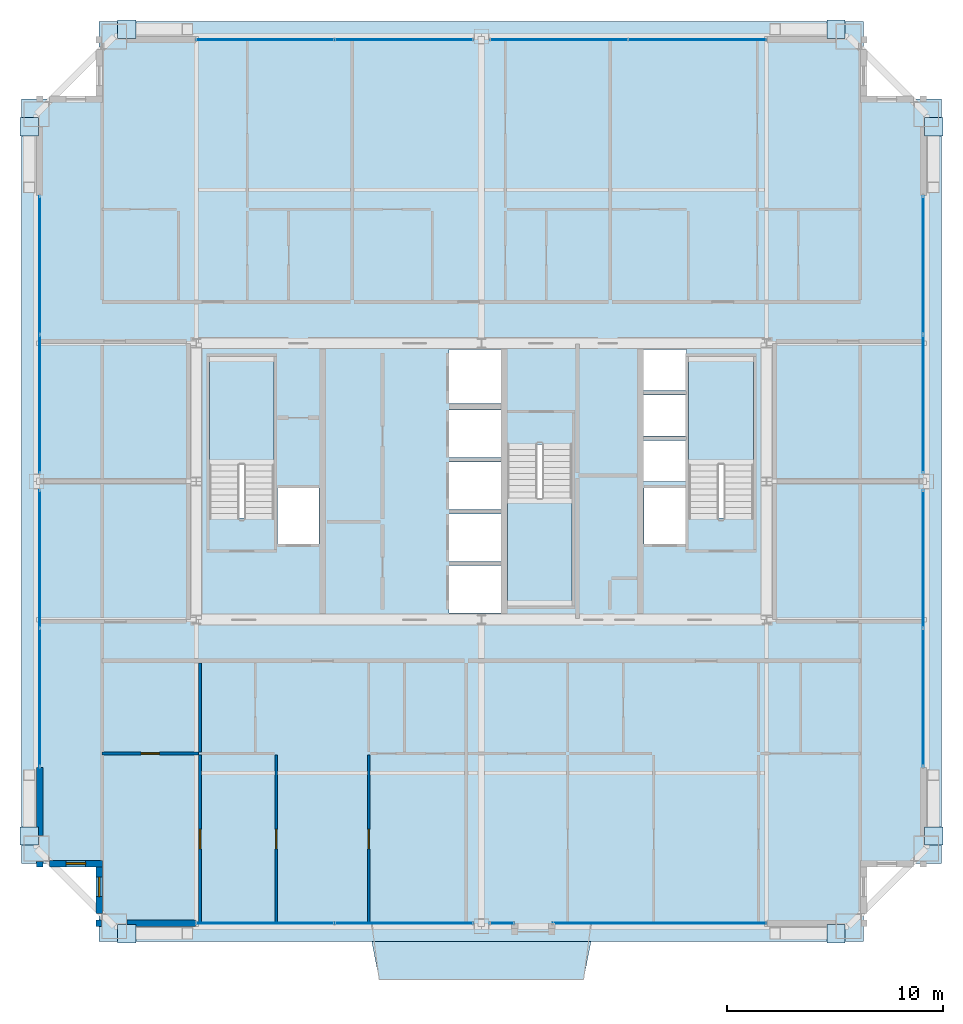
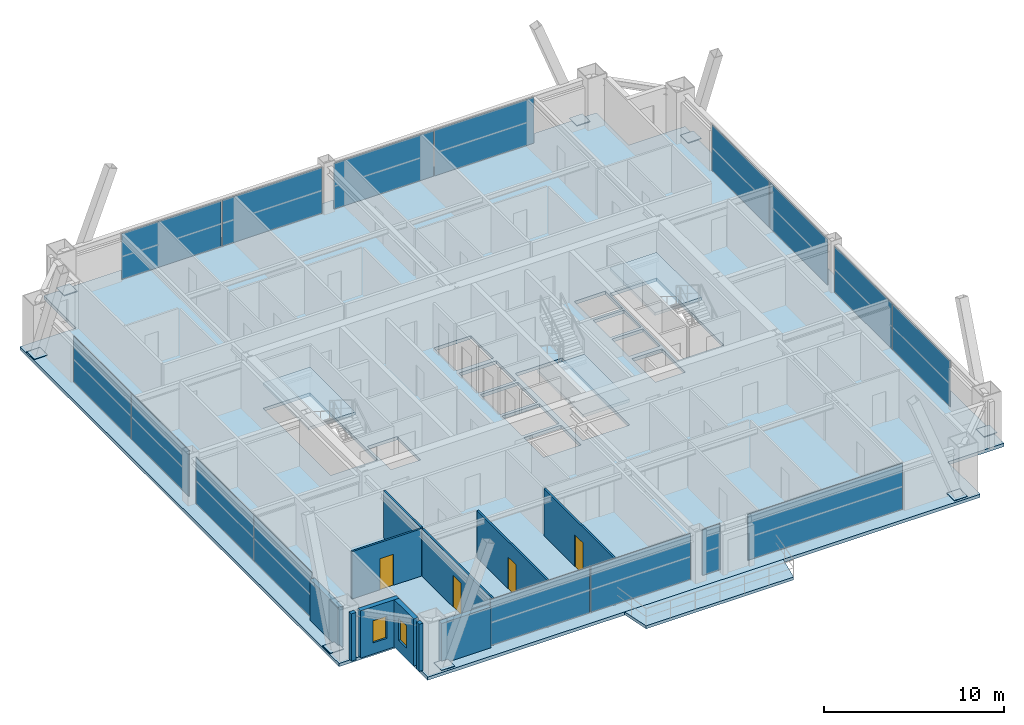
# One storey, part 30 of 36: 24 plates, 11 walls, 5 slabs, 4 doors, 2 windows, 6 openings, 12 elements without a shape of their own.
"""IFC4 building model written with IfcOpenShell, lengths in metres."""

import ifcopenshell
import ifcopenshell.guid

model = None  # the IFC model being written
_history = None  # IfcOwnerHistory: only IFC2X3 demands one
_inside = {}  # id of a spatial element -> (the spatial element, [elements in it])
_under = {}  # id of a project, library or spatial element -> (it, [spatial elements below it])
_declared = {}  # id of a project -> (the project, [libraries it declares])
_typed = {}  # id of a type object -> (the type object, [elements of that type])
_made_of = {}  # id of a material, layer set ... -> (it, [elements and type objects made of it])


def new_model(schema):
    """Start an empty IFC model of exactly this schema.

    Asked for "IFC4X3", IfcOpenShell would pick the latest addendum, in which some entities
    have other attributes; the version numbers below select the first issue.
    IFC2X3 requires an IfcOwnerHistory on every rooted entity: one is made here for all.
    """
    global model, _history
    if schema == "IFC4X3":
        model = ifcopenshell.file(schema_version=(4, 3, 0, 0))
    else:
        model = ifcopenshell.file(schema=schema)
    _inside.clear()
    _under.clear()
    _declared.clear()
    _typed.clear()
    _made_of.clear()
    _history = None
    if model.schema == "IFC2X3":
        org = make("IfcOrganization", Name="unknown")
        user = make(
            "IfcPersonAndOrganization",
            ThePerson=make("IfcPerson", FamilyName="unknown"),
            TheOrganization=org,
        )
        app = make(
            "IfcApplication",
            ApplicationDeveloper=org,
            Version="unknown",
            ApplicationFullName="unknown",
            ApplicationIdentifier="unknown",
        )
        _history = make(
            "IfcOwnerHistory",
            OwningUser=user,
            OwningApplication=app,
            ChangeAction="ADDED",
            CreationDate=0,
        )
    return model


def make(cls, **values):
    """One entity of the class cls with the attributes given. An attribute that is None is left unset."""
    return model.create_entity(
        cls, **{name: value for name, value in values.items() if value is not None}
    )


def rooted(cls, **values):
    """An entity with a GlobalId (a new one), such as an element, a storey or a relation."""
    return make(cls, GlobalId=ifcopenshell.guid.new(), OwnerHistory=_history, **values)


def si_unit(unit_type, name, prefix=None):
    """IfcSIUnit, for example si_unit("LENGTHUNIT", "METRE", prefix="MILLI")."""
    return make("IfcSIUnit", UnitType=unit_type, Prefix=prefix, Name=name)


def assignment(units):
    """IfcUnitAssignment: the units of a project."""
    return None if units is None else make("IfcUnitAssignment", Units=units)


def point(xyz):
    """IfcCartesianPoint."""
    return None if xyz is None else make("IfcCartesianPoint", Coordinates=xyz)


def direction(xyz):
    """IfcDirection."""
    return None if xyz is None else make("IfcDirection", DirectionRatios=xyz)


def frame(location, z_axis=None, x_axis=None):
    """IfcAxis2Placement3D, a coordinate frame: its origin and axes. An axis left out is left unset."""
    return make(
        "IfcAxis2Placement3D",
        Location=point(location),
        Axis=direction(z_axis),
        RefDirection=direction(x_axis),
    )


def frame_2d(location, x_axis=None):
    """IfcAxis2Placement2D, a coordinate frame in the plane: its origin and x axis."""
    return make(
        "IfcAxis2Placement2D", Location=point(location), RefDirection=direction(x_axis)
    )


def origin():
    """The frame at (0, 0, 0) with its axes left unset."""
    return frame((0.0, 0.0, 0.0))


def origin_2d():
    """The frame at (0, 0) in the plane with its x axis left unset."""
    return frame_2d((0.0, 0.0))


def place(relative_to, where):
    """IfcLocalPlacement: puts the frame where relative to a parent placement (None: the world)."""
    return make(
        "IfcLocalPlacement", PlacementRelTo=relative_to, RelativePlacement=where
    )


def context(
    kind, dimensions, precision=None, world=None, true_north=None, identifier=None
):
    """IfcGeometricRepresentationContext, for example the 3D "Model" context."""
    return make(
        "IfcGeometricRepresentationContext",
        ContextIdentifier=identifier,
        ContextType=kind,
        CoordinateSpaceDimension=dimensions,
        Precision=precision,
        WorldCoordinateSystem=world,
        TrueNorth=true_north,
    )


def subcontext(parent, identifier, kind, view, scale=None):
    """IfcGeometricRepresentationSubContext, for example "Body" below "Model"."""
    return make(
        "IfcGeometricRepresentationSubContext",
        ContextIdentifier=identifier,
        ContextType=kind,
        ParentContext=parent,
        TargetScale=scale,
        TargetView=view,
    )


def project(units=None, contexts=None):
    """IfcProject with its units and contexts."""
    return rooted(
        "IfcProject",
        Name="project",
        RepresentationContexts=contexts,
        UnitsInContext=assignment(units),
    )


def spatial(cls, under=None, at=None, **own):
    """A site, building, storey or space (cls), placed at a placement, below another one or the project."""
    s = rooted(cls, ObjectPlacement=at, **own)
    if under is not None:
        _under.setdefault(under.id(), (under, []))[1].append(s)
    return s


def polyline(points):
    """IfcPolyline through the points."""
    return make("IfcPolyline", Points=[point(p) for p in points])


def profile(cls, at=None, kind="AREA", **sizes):
    """A parametric profile (cls). Its sizes go by their IFC names, for example OverallWidth=200.0."""
    return make(cls, ProfileType=kind, Position=at, **sizes)


def rectangle(**sizes):
    """IfcRectangleProfileDef."""
    return profile("IfcRectangleProfileDef", **sizes)


def outline(outer, holes=None, kind="AREA"):
    """IfcArbitraryClosedProfileDef: a profile drawn as a closed curve; with holes, ...WithVoids."""
    if holes is None:
        return make("IfcArbitraryClosedProfileDef", ProfileType=kind, OuterCurve=outer)
    return make(
        "IfcArbitraryProfileDefWithVoids",
        ProfileType=kind,
        OuterCurve=outer,
        InnerCurves=holes,
    )


def extrude(swept, where, along, depth):
    """IfcExtrudedAreaSolid: the profile swept, set in the frame where, extruded along a direction by depth."""
    return make(
        "IfcExtrudedAreaSolid",
        SweptArea=swept,
        Position=where,
        ExtrudedDirection=direction(along),
        Depth=depth,
    )


def shape(context_of_items, identifier, shape_type, items):
    """IfcShapeRepresentation: the items that make up one representation, for example the "Body"."""
    return make(
        "IfcShapeRepresentation",
        ContextOfItems=context_of_items,
        RepresentationIdentifier=identifier,
        RepresentationType=shape_type,
        Items=items,
    )


def source(mapping_origin, context_of_items, identifier, shape_type, items):
    """IfcRepresentationMap: a shape defined once, which mapped items show again and again."""
    return make(
        "IfcRepresentationMap",
        MappingOrigin=mapping_origin,
        MappedRepresentation=shape(context_of_items, identifier, shape_type, items),
    )


def transform(
    local_origin,
    x_axis=None,
    y_axis=None,
    z_axis=None,
    scale=None,
    scale2=None,
    scale3=None,
    uniform=True,
):
    """IfcCartesianTransformationOperator3D, or its non-uniform kind. x_axis, y_axis, z_axis: its Axis1, 2, 3."""
    if uniform:
        return make(
            "IfcCartesianTransformationOperator3D",
            Axis1=direction(x_axis),
            Axis2=direction(y_axis),
            LocalOrigin=point(local_origin),
            Scale=scale,
            Axis3=direction(z_axis),
        )
    return make(
        "IfcCartesianTransformationOperator3DnonUniform",
        Axis1=direction(x_axis),
        Axis2=direction(y_axis),
        LocalOrigin=point(local_origin),
        Scale=scale,
        Axis3=direction(z_axis),
        Scale2=scale2,
        Scale3=scale3,
    )


def mapped(mapping_source, mapping_target):
    """IfcMappedItem: shows the shape of a source again, moved by a transform."""
    return make(
        "IfcMappedItem", MappingSource=mapping_source, MappingTarget=mapping_target
    )


def material(Name=None, Category=None):
    """IfcMaterial."""
    return make("IfcMaterial", Name=Name, Category=Category)


def layer(
    of_material, thickness, ventilated=None, Name=None, Category=None, Priority=None
):
    """IfcMaterialLayer: one layer of a wall or slab, of a material (None: an air gap)."""
    return make(
        "IfcMaterialLayer",
        Material=of_material,
        LayerThickness=thickness,
        IsVentilated=ventilated,
        Name=Name,
        Category=Category,
        Priority=Priority,
    )


def layer_set(layers, Name=None):
    """IfcMaterialLayerSet."""
    return make("IfcMaterialLayerSet", MaterialLayers=layers, LayerSetName=Name)


def made_of(thing, what):
    """Note that an element or type object is made of a material, layer set ...; save() writes the relation."""
    if what is not None:
        _made_of.setdefault(what.id(), (what, []))[1].append(thing)
    return thing


def type_object(cls, material=None, **own):
    """A type object (cls), such as IfcWallType, which elements share."""
    return made_of(rooted(cls, **own), material)


def element(
    cls,
    number,
    at=None,
    inside=None,
    cuts=None,
    type_object=None,
    material=None,
    context=None,
    identifier="Body",
    shape_type=None,
    held_by="IfcProductDefinitionShape",
    body=None,
    shapes=None,
    **own,
):
    """One element of the class cls, such as IfcWall. Its Tag is "e" and its number.

    at: its placement. inside: the storey or other place that contains it. cuts: it is an
    opening in that element (IfcRelVoidsElement). A single representation is given by context,
    identifier, shape_type and body (its items); several are given by shapes. held_by: the class
    of the entity that holds the representations. save() writes the other relations.
    """
    e = rooted(cls, Tag="e%d" % number, ObjectPlacement=at, **own)
    if body is not None:
        shapes = [shape(context, identifier, shape_type, body)]
    if shapes is not None:
        e.Representation = make(held_by, Representations=shapes)
    if inside is not None:
        _inside.setdefault(inside.id(), (inside, []))[1].append(e)
    if cuts is not None:
        rooted(
            "IfcRelVoidsElement", RelatingBuildingElement=cuts, RelatedOpeningElement=e
        )
    if type_object is not None:
        _typed.setdefault(type_object.id(), (type_object, []))[1].append(e)
    return made_of(e, material)


def fill(opening, filler):
    """IfcRelFillsElement: the door or window that sits in an opening."""
    return rooted(
        "IfcRelFillsElement",
        RelatingOpeningElement=opening,
        RelatedBuildingElement=filler,
    )


def aggregate(whole, parts):
    """IfcRelAggregates: a whole, such as a stair, and the parts it consists of."""
    return rooted("IfcRelAggregates", RelatingObject=whole, RelatedObjects=parts)


def save(model, path):
    """Write the relations noted so far, then the file.

    IfcRelAggregates (storeys below a building ...), IfcRelContainedInSpatialStructure (elements
    in a storey), IfcRelDefinesByType, IfcRelAssociatesMaterial and IfcRelDeclares: one each for
    every whole, place, type object, material and project.
    """
    for whole, parts in _under.values():
        aggregate(whole, parts)
    for where, things in _inside.values():
        rooted(
            "IfcRelContainedInSpatialStructure",
            RelatedElements=things,
            RelatingStructure=where,
        )
    for kind, things in _typed.values():
        rooted("IfcRelDefinesByType", RelatedObjects=things, RelatingType=kind)
    for what, things in _made_of.values():
        rooted("IfcRelAssociatesMaterial", RelatedObjects=things, RelatingMaterial=what)
    for by, libraries in _declared.values():
        rooted("IfcRelDeclares", RelatingContext=by, RelatedDefinitions=libraries)
    model.write(path)


model = new_model("IFC4")

# Units and contexts
model_context = context("Model", 3, precision=1e-05, world=origin(), true_north=direction((0.0, 1.0)))
body_context = subcontext(model_context, "Body", "Model", "MODEL_VIEW")
ifc_project = project(units=[si_unit("LENGTHUNIT", "METRE"), si_unit("AREAUNIT", "SQUARE_METRE"), si_unit("VOLUMEUNIT", "CUBIC_METRE"), si_unit("PLANEANGLEUNIT", "RADIAN"), si_unit("MASSUNIT", "GRAM", prefix="KILO"), si_unit("THERMODYNAMICTEMPERATUREUNIT", "KELVIN"), si_unit("POWERUNIT", "WATT")], contexts=[model_context])

# Site, building, storey
site_placement = place(None, origin())
site = spatial("IfcSite", under=ifc_project, at=site_placement, CompositionType="ELEMENT")
building_placement = place(site_placement, origin())
building = spatial("IfcBuilding", under=site, at=building_placement, Name="Yuzanri Waterfront Tower", CompositionType="ELEMENT")
storey_placement = place(building_placement, frame((0.0, 0.0, 255.60009765625)))
storey = spatial("IfcBuildingStorey", under=building, at=storey_placement, Name="L68", CompositionType="ELEMENT", Elevation=255.60009765625)

# Slab
ifc_material_1 = material(Name="Concrete C40", Category="concrete")
ifc_layer_1 = layer(ifc_material_1, 0.199951171875)
ifc_layer_set_1 = layer_set([ifc_layer_1], Name="Concrete C40")
slab_type_1 = type_object("IfcSlabType", Name="Concrete C40 Cantilevered Engawa Wave Terrace Slab 200", PredefinedType="FLOOR", material=ifc_layer_set_1)
slab_1_placement = place(storey_placement, frame((0.0, 0.0, -0.2001953125)))
element("IfcSlab", 1, at=slab_1_placement, inside=storey, type_object=slab_type_1, Name="L68 S Cantilevered Engawa Terrace Slab", PredefinedType="FLOOR", context=body_context, shape_type="SweptSolid", body=[
    extrude(outline(polyline([(31.92041015625, 4.5), (42.07958984375, 4.5), (41.7294921875, 2.737060546875), (32.2705078125, 2.737060546875), (31.92041015625, 4.5)])), origin(), (0.0, 0.0, 1.0), 0.2001953125),
])

# Stair, slab
ifc_material_2 = material(Name="Concrete C40", Category="concrete")
stair_type = type_object("IfcStairType", Name="Concrete C40 Core Dogleg Exit Stair", PredefinedType="HALF_TURN_STAIR", material=ifc_material_2)
stair_1_placement = place(storey_placement, origin())
stair_1 = element("IfcStair", 2, at=stair_1_placement, inside=storey, type_object=stair_type, Name="L68 Smoke-Proof Core Stair ST-01", PredefinedType="HALF_TURN_STAIR")
ifc_material_3 = material(Name="Concrete C40", Category="concrete")
ifc_layer_2 = layer(ifc_material_3, 0.179931640625)
ifc_layer_set_2 = layer_set([ifc_layer_2], Name="Concrete C40")
slab_type_2 = type_object("IfcSlabType", Name="Concrete C40 Stair Half-Landing Slab 180", PredefinedType="LANDING", material=ifc_layer_set_2)
slab_2_placement = place(storey_placement, frame((0.0, 0.0, 1.5498046875)))
slab_2 = element("IfcSlab", 3, at=slab_2_placement, type_object=slab_type_2, Name="ST-01 landing 1", PredefinedType="LANDING", context=body_context, shape_type="SweptSolid", body=[
    extrude(outline(polyline([(27.39990234375, 26.56005859375), (27.39990234375, 31.580078125), (24.39990234375, 31.580078125), (24.39990234375, 26.56005859375), (27.39990234375, 26.56005859375)])), origin(), (0.0, 0.0, 1.0), 0.2001953125),
])
aggregate(stair_1, [slab_2])

stair_2_placement = place(storey_placement, origin())
stair_2 = element("IfcStair", 4, at=stair_2_placement, inside=storey, type_object=stair_type, Name="L68 Smoke-Proof Core Stair ST-02", PredefinedType="HALF_TURN_STAIR")
slab_3_placement = place(storey_placement, frame((0.0, 0.0, 1.5498046875)))
slab_3 = element("IfcSlab", 5, at=slab_3_placement, type_object=slab_type_2, Name="ST-02 landing 1", PredefinedType="LANDING", context=body_context, shape_type="SweptSolid", body=[
    extrude(outline(polyline([(49.60009765625, 26.56005859375), (49.60009765625, 31.580078125), (46.60009765625, 31.580078125), (46.60009765625, 26.56005859375), (49.60009765625, 26.56005859375)])), origin(), (0.0, 0.0, 1.0), 0.2001953125),
])
aggregate(stair_2, [slab_3])

stair_3_placement = place(storey_placement, origin())
stair_3 = element("IfcStair", 6, at=stair_3_placement, inside=storey, type_object=stair_type, Name="L68 Smoke-Proof Core Stair ST-03", PredefinedType="HALF_TURN_STAIR")
slab_4_placement = place(storey_placement, frame((0.0, 0.0, 1.5498046875)))
slab_4 = element("IfcSlab", 7, at=slab_4_placement, type_object=slab_type_2, Name="ST-03 landing 1", PredefinedType="LANDING", context=body_context, shape_type="SweptSolid", body=[
    extrude(outline(polyline([(38.199951171875, 25.0400390625), (38.199951171875, 20.02001953125), (41.199951171875, 20.02001953125), (41.199951171875, 25.0400390625), (38.199951171875, 25.0400390625)])), origin(), (0.0, 0.0, 1.0), 0.2001953125),
])
aggregate(stair_3, [slab_4])

# Slab
ifc_material_4 = material(Name="Concrete C40", Category="concrete")
ifc_layer_3 = layer(ifc_material_4, 0.219970703125)
ifc_layer_set_3 = layer_set([ifc_layer_3], Name="Concrete C40")
slab_type_3 = type_object("IfcSlabType", Name="Concrete C40 Tower Typical Structural Floor Slab 220", PredefinedType="FLOOR", material=ifc_layer_set_3)
slab_5_placement = place(storey_placement, frame((0.0, 0.0, -0.22021484375)))
element("IfcSlab", 8, at=slab_5_placement, inside=storey, type_object=slab_type_3, Name="L68 Main Structural Floor Slab", PredefinedType="FLOOR", context=body_context, shape_type="SweptSolid", body=[
    extrude(outline(polyline([(19.300048828125, 4.5), (54.699951171875, 4.5), (54.699951171875, 8.10009765625), (58.300048828125, 8.10009765625), (58.300048828125, 43.5), (54.699951171875, 43.5), (54.699951171875, 47.10009765625), (19.300048828125, 47.10009765625), (19.300048828125, 43.5), (15.699951171875, 43.5), (15.699951171875, 8.10009765625), (19.300048828125, 8.10009765625), (19.300048828125, 4.5)]), holes=[polyline([(27.39990234375, 24.10009765625), (27.39990234375, 31.580078125), (24.39990234375, 31.580078125), (24.39990234375, 24.10009765625), (27.39990234375, 24.10009765625)]), polyline([(49.60009765625, 24.10009765625), (49.60009765625, 31.580078125), (46.60009765625, 31.580078125), (46.60009765625, 24.10009765625), (49.60009765625, 24.10009765625)]), polyline([(38.199951171875, 27.5), (38.199951171875, 20.02001953125), (41.199951171875, 20.02001953125), (41.199951171875, 27.5), (38.199951171875, 27.5)]), polyline([(27.56005859375, 22.89990234375), (29.47998046875, 22.89990234375), (29.47998046875, 25.5), (27.56005859375, 25.5), (27.56005859375, 22.89990234375)]), polyline([(44.52001953125, 22.89990234375), (46.43994140625, 22.89990234375), (46.43994140625, 25.5), (44.52001953125, 25.5), (44.52001953125, 22.89990234375)]), polyline([(35.5, 19.699951171875), (37.89990234375, 19.699951171875), (37.89990234375, 21.89990234375), (35.5, 21.89990234375), (35.5, 19.699951171875)]), polyline([(35.5, 22.10009765625), (37.89990234375, 22.10009765625), (37.89990234375, 24.300048828125), (35.5, 24.300048828125), (35.5, 22.10009765625)]), polyline([(35.5, 24.5), (37.89990234375, 24.5), (37.89990234375, 26.699951171875), (35.5, 26.699951171875), (35.5, 24.5)]), polyline([(35.5, 26.89990234375), (37.89990234375, 26.89990234375), (37.89990234375, 29.10009765625), (35.5, 29.10009765625), (35.5, 26.89990234375)]), polyline([(35.5, 29.39990234375), (37.89990234375, 29.39990234375), (37.89990234375, 31.89990234375), (35.5, 31.89990234375), (35.5, 29.39990234375)]), polyline([(44.5, 25.800048828125), (46.5, 25.800048828125), (46.5, 27.699951171875), (44.5, 27.699951171875), (44.5, 25.800048828125)]), polyline([(44.5, 27.89990234375), (46.5, 27.89990234375), (46.5, 29.800048828125), (44.5, 29.800048828125), (44.5, 27.89990234375)]), polyline([(44.5, 30.0), (46.5, 30.0), (46.5, 31.89990234375), (44.5, 31.89990234375), (44.5, 30.0)])]), origin(), (0.0, 0.0, 1.0), 0.22021484375),
])

# Plates
ifc_material_5 = material(Name="Steel Q420GJC", Category="steel")
ifc_layer_4 = layer(ifc_material_5, 0.0400390625)
ifc_layer_set_4 = layer_set([ifc_layer_4], Name="Steel Q420GJC")
plate_type_1 = type_object("IfcPlateType", Name="Steel Q420GJC Mega-Brace Gusset and End-Cap Plate 40", PredefinedType="SHEET", material=ifc_layer_set_4)
shared_shape_1 = source(origin(), body_context, "Body", "SweptSolid", [
    extrude(rectangle(XDim=0.85009765625, YDim=0.85009765625, at=origin_2d()), origin(), (0.0, 0.0, 1.0), 0.0400390625),
])
for number, where, z_axis, x_axis, name in (
    (9, (20.580078125, 4.860107421875, 0.159912109375), (0.0, 0.0, 1.0), (1.0, 0.0, 0.0), "L68 Mega-Brace Foot Cap Plate S-L"),
    (10, (53.419921875, 4.860107421875, 0.159912109375), (0.0, 0.0, 1.0), (1.0, 0.0, 0.0), "L68 Mega-Brace Foot Cap Plate S-R"),
    (11, (20.580078125, 46.739990234375, 0.159912109375), (0.0, 0.0, 1.0), (1.0, 0.0, 0.0), "L68 Mega-Brace Foot Cap Plate N-L"),
    (12, (53.419921875, 46.739990234375, 0.159912109375), (0.0, 0.0, 1.0), (1.0, 0.0, 0.0), "L68 Mega-Brace Foot Cap Plate N-R"),
    (13, (16.06005859375, 9.3798828125, 0.159912109375), (0.0, 0.0, 1.0), (1.0, 0.0, 0.0), "L68 Mega-Brace Foot Cap Plate W-L"),
    (14, (16.06005859375, 42.219970703125, 0.159912109375), (0.0, 0.0, 1.0), (1.0, 0.0, 0.0), "L68 Mega-Brace Foot Cap Plate W-R"),
    (15, (57.93994140625, 9.3798828125, 0.159912109375), (0.0, 0.0, 1.0), (1.0, 0.0, 0.0), "L68 Mega-Brace Foot Cap Plate E-L"),
    (16, (57.93994140625, 42.219970703125, 0.159912109375), (0.0, 0.0, 1.0), (1.0, 0.0, 0.0), "L68 Mega-Brace Foot Cap Plate E-R"),
):
    element("IfcPlate", number, at=place(storey_placement, frame(where, z_axis=z_axis, x_axis=x_axis)), inside=storey, type_object=plate_type_1, Name=name, PredefinedType="SHEET", context=body_context, shape_type="MappedRepresentation", body=[
        mapped(shared_shape_1, transform((0.0, 0.0, 0.0), scale=1.0)),
    ])

# Curtain wall, plates
ifc_material_6 = material(Name="Anodized Architectural Bronze", Category="metal")
ifc_layer_5 = layer(ifc_material_6, 0.159912109375)
ifc_layer_set_5 = layer_set([ifc_layer_5], Name="Anodized Architectural Bronze")
curtain_wall_type = type_object("IfcCurtainWallType", Name="Anodized Bronze Mid-Rise Residential Acoustic Unitized Curtain Wall 7200", PredefinedType="NOTDEFINED", material=ifc_layer_set_5)
curtain_wall_1_placement = place(storey_placement, origin())
curtain_wall_1 = element("IfcCurtainWall", 17, at=curtain_wall_1_placement, inside=storey, type_object=curtain_wall_type, Name="L68 Curtain Wall CW-L68-SL", PredefinedType="NOTDEFINED")
ifc_material_7 = material(Name="Triple Low-E Laminated Insulated Glass", Category="glass")
ifc_layer_6 = layer(ifc_material_7, 0.0439453125)
ifc_layer_set_6 = layer_set([ifc_layer_6], Name="Triple Low-E Laminated Insulated Glass")
plate_type_2 = type_object("IfcPlateType", Name="Triple Glazed Acoustic Vision Glass Panel 44", PredefinedType="CURTAIN_PANEL", material=ifc_layer_set_6)
shared_shape_2 = source(origin(), body_context, "Body", "SweptSolid", [
    extrude(rectangle(XDim=6.3701171875, YDim=0.0439453125, at=origin_2d()), origin(), (0.0, 0.0, 1.0), 3.10009765625),
])
plate_1_placement = place(storey_placement, frame((26.97509765625, 5.35009765625, 0.0498046875), z_axis=(0.0, 0.0, 1.0), x_axis=(1.0, 0.0, 0.0)))
plate_1 = element("IfcPlate", 18, at=plate_1_placement, type_object=plate_type_2, Name="CW-L68-SL Vision Glass Panel 01", PredefinedType="CURTAIN_PANEL", context=body_context, shape_type="MappedRepresentation", body=[
    mapped(shared_shape_2, transform((0.0, 0.0, 0.0), scale=1.0)),
])
plate_2_placement = place(storey_placement, frame((33.425048828125, 5.35009765625, 0.0498046875), z_axis=(0.0, 0.0, 1.0), x_axis=(1.0, 0.0, 0.0)))
plate_2 = element("IfcPlate", 19, at=plate_2_placement, type_object=plate_type_2, Name="CW-L68-SL Vision Glass Panel 02", PredefinedType="CURTAIN_PANEL", context=body_context, shape_type="MappedRepresentation", body=[
    mapped(shared_shape_2, transform((0.0, 0.0, 0.0), scale=1.0)),
])
aggregate(curtain_wall_1, [plate_1, plate_2])

curtain_wall_2_placement = place(storey_placement, origin())
curtain_wall_2 = element("IfcCurtainWall", 20, at=curtain_wall_2_placement, inside=storey, type_object=curtain_wall_type, Name="L68 Curtain Wall CW-L68-NL", PredefinedType="NOTDEFINED")
plate_3_placement = place(storey_placement, frame((26.97509765625, 46.25, 0.0498046875), z_axis=(0.0, 0.0, 1.0), x_axis=(1.0, 0.0, 0.0)))
plate_3 = element("IfcPlate", 21, at=plate_3_placement, type_object=plate_type_2, Name="CW-L68-NL Vision Glass Panel 01", PredefinedType="CURTAIN_PANEL", context=body_context, shape_type="MappedRepresentation", body=[
    mapped(shared_shape_2, transform((0.0, 0.0, 0.0), scale=1.0)),
])
plate_4_placement = place(storey_placement, frame((33.425048828125, 46.25, 0.0498046875), z_axis=(0.0, 0.0, 1.0), x_axis=(1.0, 0.0, 0.0)))
plate_4 = element("IfcPlate", 22, at=plate_4_placement, type_object=plate_type_2, Name="CW-L68-NL Vision Glass Panel 02", PredefinedType="CURTAIN_PANEL", context=body_context, shape_type="MappedRepresentation", body=[
    mapped(shared_shape_2, transform((0.0, 0.0, 0.0), scale=1.0)),
])
aggregate(curtain_wall_2, [plate_3, plate_4])

curtain_wall_3_placement = place(storey_placement, origin())
curtain_wall_3 = element("IfcCurtainWall", 23, at=curtain_wall_3_placement, inside=storey, type_object=curtain_wall_type, Name="L68 Curtain Wall CW-L68-NR", PredefinedType="NOTDEFINED")
plate_5_placement = place(storey_placement, frame((40.574951171875, 46.25, 0.0498046875), z_axis=(0.0, 0.0, 1.0), x_axis=(1.0, 0.0, 0.0)))
plate_5 = element("IfcPlate", 24, at=plate_5_placement, type_object=plate_type_2, Name="CW-L68-NR Vision Glass Panel 01", PredefinedType="CURTAIN_PANEL", context=body_context, shape_type="MappedRepresentation", body=[
    mapped(shared_shape_2, transform((0.0, 0.0, 0.0), scale=1.0)),
])
plate_6_placement = place(storey_placement, frame((47.02490234375, 46.25, 0.0498046875), z_axis=(0.0, 0.0, 1.0), x_axis=(1.0, 0.0, 0.0)))
plate_6 = element("IfcPlate", 25, at=plate_6_placement, type_object=plate_type_2, Name="CW-L68-NR Vision Glass Panel 02", PredefinedType="CURTAIN_PANEL", context=body_context, shape_type="MappedRepresentation", body=[
    mapped(shared_shape_2, transform((0.0, 0.0, 0.0), scale=1.0)),
])
aggregate(curtain_wall_3, [plate_5, plate_6])

curtain_wall_4_placement = place(storey_placement, origin())
curtain_wall_4 = element("IfcCurtainWall", 26, at=curtain_wall_4_placement, inside=storey, type_object=curtain_wall_type, Name="L68 Curtain Wall CW-L68-WL", PredefinedType="NOTDEFINED")
plate_7_placement = place(storey_placement, frame((16.550048828125, 15.77490234375, 0.0498046875), z_axis=(0.0, 0.0, 1.0), x_axis=(0.0, 1.0, 0.0)))
plate_7 = element("IfcPlate", 27, at=plate_7_placement, type_object=plate_type_2, Name="CW-L68-WL Vision Glass Panel 01", PredefinedType="CURTAIN_PANEL", context=body_context, shape_type="MappedRepresentation", body=[
    mapped(shared_shape_2, transform((0.0, 0.0, 0.0), scale=1.0)),
])
plate_8_placement = place(storey_placement, frame((16.550048828125, 22.22509765625, 0.0498046875), z_axis=(0.0, 0.0, 1.0), x_axis=(0.0, 1.0, 0.0)))
plate_8 = element("IfcPlate", 28, at=plate_8_placement, type_object=plate_type_2, Name="CW-L68-WL Vision Glass Panel 02", PredefinedType="CURTAIN_PANEL", context=body_context, shape_type="MappedRepresentation", body=[
    mapped(shared_shape_2, transform((0.0, 0.0, 0.0), scale=1.0)),
])
aggregate(curtain_wall_4, [plate_7, plate_8])

curtain_wall_5_placement = place(storey_placement, origin())
curtain_wall_5 = element("IfcCurtainWall", 29, at=curtain_wall_5_placement, inside=storey, type_object=curtain_wall_type, Name="L68 Curtain Wall CW-L68-WR", PredefinedType="NOTDEFINED")
plate_9_placement = place(storey_placement, frame((16.550048828125, 29.375, 0.0498046875), z_axis=(0.0, 0.0, 1.0), x_axis=(0.0, 1.0, 0.0)))
plate_9 = element("IfcPlate", 30, at=plate_9_placement, type_object=plate_type_2, Name="CW-L68-WR Vision Glass Panel 01", PredefinedType="CURTAIN_PANEL", context=body_context, shape_type="MappedRepresentation", body=[
    mapped(shared_shape_2, transform((0.0, 0.0, 0.0), scale=1.0)),
])
plate_10_placement = place(storey_placement, frame((16.550048828125, 35.824951171875, 0.0498046875), z_axis=(0.0, 0.0, 1.0), x_axis=(0.0, 1.0, 0.0)))
plate_10 = element("IfcPlate", 31, at=plate_10_placement, type_object=plate_type_2, Name="CW-L68-WR Vision Glass Panel 02", PredefinedType="CURTAIN_PANEL", context=body_context, shape_type="MappedRepresentation", body=[
    mapped(shared_shape_2, transform((0.0, 0.0, 0.0), scale=1.0)),
])
aggregate(curtain_wall_5, [plate_9, plate_10])

curtain_wall_6_placement = place(storey_placement, origin())
curtain_wall_6 = element("IfcCurtainWall", 32, at=curtain_wall_6_placement, inside=storey, type_object=curtain_wall_type, Name="L68 Curtain Wall CW-L68-EL", PredefinedType="NOTDEFINED")
plate_11_placement = place(storey_placement, frame((57.449951171875, 15.77490234375, 0.0498046875), z_axis=(0.0, 0.0, 1.0), x_axis=(0.0, 1.0, 0.0)))
plate_11 = element("IfcPlate", 33, at=plate_11_placement, type_object=plate_type_2, Name="CW-L68-EL Vision Glass Panel 01", PredefinedType="CURTAIN_PANEL", context=body_context, shape_type="MappedRepresentation", body=[
    mapped(shared_shape_2, transform((0.0, 0.0, 0.0), scale=1.0)),
])
plate_12_placement = place(storey_placement, frame((57.449951171875, 22.22509765625, 0.0498046875), z_axis=(0.0, 0.0, 1.0), x_axis=(0.0, 1.0, 0.0)))
plate_12 = element("IfcPlate", 34, at=plate_12_placement, type_object=plate_type_2, Name="CW-L68-EL Vision Glass Panel 02", PredefinedType="CURTAIN_PANEL", context=body_context, shape_type="MappedRepresentation", body=[
    mapped(shared_shape_2, transform((0.0, 0.0, 0.0), scale=1.0)),
])
aggregate(curtain_wall_6, [plate_11, plate_12])

curtain_wall_7_placement = place(storey_placement, origin())
curtain_wall_7 = element("IfcCurtainWall", 35, at=curtain_wall_7_placement, inside=storey, type_object=curtain_wall_type, Name="L68 Curtain Wall CW-L68-ER", PredefinedType="NOTDEFINED")
plate_13_placement = place(storey_placement, frame((57.449951171875, 29.375, 0.0498046875), z_axis=(0.0, 0.0, 1.0), x_axis=(0.0, 1.0, 0.0)))
plate_13 = element("IfcPlate", 36, at=plate_13_placement, type_object=plate_type_2, Name="CW-L68-ER Vision Glass Panel 01", PredefinedType="CURTAIN_PANEL", context=body_context, shape_type="MappedRepresentation", body=[
    mapped(shared_shape_2, transform((0.0, 0.0, 0.0), scale=1.0)),
])
plate_14_placement = place(storey_placement, frame((57.449951171875, 35.824951171875, 0.0498046875), z_axis=(0.0, 0.0, 1.0), x_axis=(0.0, 1.0, 0.0)))
plate_14 = element("IfcPlate", 37, at=plate_14_placement, type_object=plate_type_2, Name="CW-L68-ER Vision Glass Panel 02", PredefinedType="CURTAIN_PANEL", context=body_context, shape_type="MappedRepresentation", body=[
    mapped(shared_shape_2, transform((0.0, 0.0, 0.0), scale=1.0)),
])
aggregate(curtain_wall_7, [plate_13, plate_14])

# Curtain wall, plate
curtain_wall_8_placement = place(storey_placement, origin())
curtain_wall_8 = element("IfcCurtainWall", 38, at=curtain_wall_8_placement, inside=storey, type_object=curtain_wall_type, Name="L68 Curtain Wall CW-L68-SR1", PredefinedType="NOTDEFINED")
shared_shape_3 = source(origin(), body_context, "Body", "SweptSolid", [
    extrude(rectangle(XDim=1.1201171875, YDim=0.0439453125, at=origin_2d()), origin(), (0.0, 0.0, 1.0), 3.10009765625),
])
plate_15_placement = place(storey_placement, frame((37.949951171875, 5.35009765625, 0.0498046875), z_axis=(0.0, 0.0, 1.0), x_axis=(1.0, 0.0, 0.0)))
plate_15 = element("IfcPlate", 39, at=plate_15_placement, type_object=plate_type_2, Name="CW-L68-SR1 Vision Glass Panel 01", PredefinedType="CURTAIN_PANEL", context=body_context, shape_type="MappedRepresentation", body=[
    mapped(shared_shape_3, transform((0.0, 0.0, 0.0), scale=1.0)),
])
aggregate(curtain_wall_8, [plate_15])

curtain_wall_9_placement = place(storey_placement, origin())
curtain_wall_9 = element("IfcCurtainWall", 40, at=curtain_wall_9_placement, inside=storey, type_object=curtain_wall_type, Name="L68 Curtain Wall CW-L68-SR2", PredefinedType="NOTDEFINED")
shared_shape_4 = source(origin(), body_context, "Body", "SweptSolid", [
    extrude(rectangle(XDim=9.919921875, YDim=0.0439453125, at=origin_2d()), origin(), (0.0, 0.0, 1.0), 3.10009765625),
])
plate_16_placement = place(storey_placement, frame((45.25, 5.35009765625, 0.0498046875), z_axis=(0.0, 0.0, 1.0), x_axis=(1.0, 0.0, 0.0)))
plate_16 = element("IfcPlate", 41, at=plate_16_placement, type_object=plate_type_2, Name="CW-L68-SR2 Vision Glass Panel 01", PredefinedType="CURTAIN_PANEL", context=body_context, shape_type="MappedRepresentation", body=[
    mapped(shared_shape_4, transform((0.0, 0.0, 0.0), scale=1.0)),
])
aggregate(curtain_wall_9, [plate_16])

# Wall, opening, door
ifc_material_8 = material(Name="Moisture-Resistant Gypsum Stud Wall", Category="gypsum")
ifc_layer_7 = layer(ifc_material_8, 0.1201171875)
ifc_layer_set_7 = layer_set([ifc_layer_7], Name="Moisture-Resistant Gypsum Stud Wall")
wall_type_1 = type_object("IfcWallType", Name="Bathroom and Kitchen Wet Partition 120", PredefinedType="PARTITIONING", material=ifc_layer_set_7)
wall_1_placement = place(storey_placement, frame((19.43994140625, 13.199951171875, 0.0), z_axis=(0.0, 0.0, 1.0), x_axis=(1.0, 0.0, 0.0)))
wall_1 = element("IfcWall", 42, at=wall_1_placement, inside=storey, type_object=wall_type_1, Name="L68 Partition UW-L68-RS1-SUB-1-S", PredefinedType="PARTITIONING", context=body_context, shape_type="SweptSolid", body=[
    extrude(rectangle(XDim=4.449951171875, YDim=0.1201171875, at=frame_2d((2.22509765625, 0.0))), origin(), (0.0, 0.0, 1.0), 3.199951171875),
])
opening_1_placement = place(wall_1_placement, frame((1.800048828125, 0.0, 0.0)))
opening_1 = element("IfcOpeningElement", 43, at=opening_1_placement, cuts=wall_1, Name="Opening ID-0850", PredefinedType="OPENING", context=body_context, shape_type="SweptSolid", body=[
    extrude(rectangle(XDim=0.85009765625, YDim=2.10009765625, at=frame_2d((0.425048828125, 1.050048828125))), frame((0.0, 0.074951171875, 0.0), z_axis=(0.0, -1.0, 0.0), x_axis=(1.0, 0.0, 0.0)), (0.0, 0.0, 1.0), 0.14990234375),
])
ifc_material_9 = material(Name="Moisture-Resistant Lacquered Timber", Category="wood")
door_type_1 = type_object("IfcDoorType", Name="En-Suite Bathroom and Kitchen Swing Door 850x2100", OperationType="NOTDEFINED", PredefinedType="DOOR", material=ifc_material_9)
shared_shape_5 = source(origin(), body_context, "Body", "SweptSolid", [
    extrude(rectangle(XDim=0.85009765625, YDim=2.10009765625, at=frame_2d((0.425048828125, 1.050048828125))), frame((0.0, 0.02490234375, 0.0), z_axis=(0.0, -1.0, 0.0), x_axis=(1.0, 0.0, 0.0)), (0.0, 0.0, 1.0), 0.050048828125),
])
door_1_placement = place(opening_1_placement, origin())
door_1 = element("IfcDoor", 44, at=door_1_placement, inside=storey, type_object=door_type_1, Name="L68 Suite Interior Room Door", OperationType="SINGLE_SWING_LEFT", OverallHeight=2.10009765625, OverallWidth=0.85009765625, PredefinedType="DOOR", context=body_context, shape_type="MappedRepresentation", body=[
    mapped(shared_shape_5, transform((0.0, 0.0, 0.0), scale=1.0)),
])
fill(opening_1, door_1)

wall_2_placement = place(storey_placement, frame((23.969970703125, 5.35009765625, 0.0), z_axis=(0.0, 0.0, 1.0), x_axis=(0.0, 1.0, 0.0)))
wall_2 = element("IfcWall", 45, at=wall_2_placement, inside=storey, type_object=wall_type_1, Name="L68 Partition UW-L68-RS1-SUB-5-E", PredefinedType="PARTITIONING", context=body_context, shape_type="SweptSolid", body=[
    extrude(rectangle(XDim=7.77001953125, YDim=0.1201171875, at=frame_2d((3.885009765625, 0.0))), origin(), (0.0, 0.0, 1.0), 3.199951171875),
])
opening_2_placement = place(wall_2_placement, frame((3.43505859375, 0.0, 0.0)))
opening_2 = element("IfcOpeningElement", 46, at=opening_2_placement, cuts=wall_2, Name="Opening ID-0900", PredefinedType="OPENING", context=body_context, shape_type="SweptSolid", body=[
    extrude(rectangle(XDim=0.89990234375, YDim=2.14990234375, at=frame_2d((0.449951171875, 1.074951171875))), frame((0.0, 0.074951171875, 0.0), z_axis=(0.0, -1.0, 0.0), x_axis=(1.0, 0.0, 0.0)), (0.0, 0.0, 1.0), 0.14990234375),
])
ifc_material_10 = material(Name="Stained Walnut Veneer Timber", Category="wood")
door_type_2 = type_object("IfcDoorType", Name="Bedroom and Study Interior Swing Door 900x2150", OperationType="NOTDEFINED", PredefinedType="DOOR", material=ifc_material_10)
shared_shape_6 = source(origin(), body_context, "Body", "SweptSolid", [
    extrude(rectangle(XDim=0.89990234375, YDim=2.14990234375, at=frame_2d((0.449951171875, 1.074951171875))), frame((0.0, 0.02490234375, 0.0), z_axis=(0.0, -1.0, 0.0), x_axis=(1.0, 0.0, 0.0)), (0.0, 0.0, 1.0), 0.050048828125),
])
door_2_placement = place(opening_2_placement, origin())
door_2 = element("IfcDoor", 47, at=door_2_placement, inside=storey, type_object=door_type_2, Name="L68 Suite Interior Room Door", OperationType="SINGLE_SWING_LEFT", OverallHeight=2.14990234375, OverallWidth=0.89990234375, PredefinedType="DOOR", context=body_context, shape_type="MappedRepresentation", body=[
    mapped(shared_shape_6, transform((0.0, 0.0, 0.0), scale=1.0)),
])
fill(opening_2, door_2)

wall_3_placement = place(storey_placement, frame((31.77587890625, 5.35009765625, 0.0), z_axis=(0.0, 0.0, 1.0), x_axis=(0.0, 1.0, 0.0)))
wall_3 = element("IfcWall", 48, at=wall_3_placement, inside=storey, type_object=wall_type_1, Name="L68 Partition UW-L68-RS1-SUB-6-W", PredefinedType="PARTITIONING", context=body_context, shape_type="SweptSolid", body=[
    extrude(rectangle(XDim=7.77001953125, YDim=0.1201171875, at=frame_2d((3.885009765625, 0.0))), origin(), (0.0, 0.0, 1.0), 3.199951171875),
])
opening_3_placement = place(wall_3_placement, frame((3.43505859375, 0.0, 0.0)))
opening_3 = element("IfcOpeningElement", 49, at=opening_3_placement, cuts=wall_3, Name="Opening ID-0900", PredefinedType="OPENING", context=body_context, shape_type="SweptSolid", body=[
    extrude(rectangle(XDim=0.89990234375, YDim=2.14990234375, at=frame_2d((0.449951171875, 1.074951171875))), frame((0.0, 0.074951171875, 0.0), z_axis=(0.0, -1.0, 0.0), x_axis=(1.0, 0.0, 0.0)), (0.0, 0.0, 1.0), 0.14990234375),
])
door_3_placement = place(opening_3_placement, origin())
door_3 = element("IfcDoor", 50, at=door_3_placement, inside=storey, type_object=door_type_2, Name="L68 Suite Interior Room Door", OperationType="SINGLE_SWING_RIGHT", OverallHeight=2.14990234375, OverallWidth=0.89990234375, PredefinedType="DOOR", context=body_context, shape_type="MappedRepresentation", body=[
    mapped(shared_shape_6, transform((0.0, 0.0, 0.0), scale=1.0)),
])
fill(opening_3, door_3)

wall_4_placement = place(storey_placement, frame((27.493896484375, 5.35009765625, 0.0), z_axis=(0.0, 0.0, 1.0), x_axis=(0.0, 1.0, 0.0)))
wall_4 = element("IfcWall", 51, at=wall_4_placement, inside=storey, type_object=wall_type_1, Name="L68 Partition UW-L68-RS1-SUB-7-E", PredefinedType="PARTITIONING", context=body_context, shape_type="SweptSolid", body=[
    extrude(rectangle(XDim=7.77001953125, YDim=0.1201171875, at=frame_2d((3.885009765625, 0.0))), origin(), (0.0, 0.0, 1.0), 3.199951171875),
])
opening_4_placement = place(wall_4_placement, frame((3.43505859375, 0.0, 0.0)))
opening_4 = element("IfcOpeningElement", 52, at=opening_4_placement, cuts=wall_4, Name="Opening ID-0900", PredefinedType="OPENING", context=body_context, shape_type="SweptSolid", body=[
    extrude(rectangle(XDim=0.89990234375, YDim=2.14990234375, at=frame_2d((0.449951171875, 1.074951171875))), frame((0.0, 0.074951171875, 0.0), z_axis=(0.0, -1.0, 0.0), x_axis=(1.0, 0.0, 0.0)), (0.0, 0.0, 1.0), 0.14990234375),
])
door_4_placement = place(opening_4_placement, origin())
door_4 = element("IfcDoor", 53, at=door_4_placement, inside=storey, type_object=door_type_2, Name="L68 Suite Interior Room Door", OperationType="SINGLE_SWING_LEFT", OverallHeight=2.14990234375, OverallWidth=0.89990234375, PredefinedType="DOOR", context=body_context, shape_type="MappedRepresentation", body=[
    mapped(shared_shape_6, transform((0.0, 0.0, 0.0), scale=1.0)),
])
fill(opening_4, door_4)

# Wall, opening, window
ifc_material_11 = material(Name="Honed Chongqing Dark Basalt Stone", Category="masonry")
ifc_layer_8 = layer(ifc_material_11, 0.300048828125)
ifc_layer_set_8 = layer_set([ifc_layer_8], Name="Honed Chongqing Dark Basalt Stone")
wall_type_2 = type_object("IfcWallType", Name="Bronze Rainscreen Insulated Spandrel Portal Wall 300", PredefinedType="SOLIDWALL", material=ifc_layer_set_8)
wall_5_placement = place(storey_placement, frame((17.0, 8.10009765625, 0.0), z_axis=(0.0, 0.0, 1.0), x_axis=(1.0, 0.0, 0.0)))
wall_5 = element("IfcWall", 54, at=wall_5_placement, inside=storey, type_object=wall_type_2, Name="L68 Notched Corner Masonry Wall SW-X", PredefinedType="SOLIDWALL", context=body_context, shape_type="SweptSolid", body=[
    extrude(rectangle(XDim=2.449951171875, YDim=0.300048828125, at=frame_2d((1.22509765625, 0.0))), origin(), (0.0, 0.0, 1.0), 3.199951171875),
])
opening_5_placement = place(wall_5_placement, frame((0.77490234375, 0.0, 0.75)))
opening_5 = element("IfcOpeningElement", 55, at=opening_5_placement, cuts=wall_5, Name="Opening WN-05", PredefinedType="OPENING", context=body_context, shape_type="SweptSolid", body=[
    extrude(rectangle(XDim=0.89990234375, YDim=1.5, at=frame_2d((0.449951171875, 0.75))), frame((0.0, 0.1650390625, 0.0), z_axis=(0.0, -1.0, 0.0), x_axis=(1.0, 0.0, 0.0)), (0.0, 0.0, 1.0), 0.329833984375),
])
ifc_material_12 = material(Name="Double-Silver Low-E Insulated Glass", Category="glass")
window_type = type_object("IfcWindowType", Name="Anodized Bronze Service and Stairwell Smoke-Vent Window 900x1500", PartitioningType="SINGLE_PANEL", PredefinedType="WINDOW", material=ifc_material_12)
shared_shape_7 = source(origin(), body_context, "Body", "SweptSolid", [
    extrude(rectangle(XDim=0.89990234375, YDim=1.5, at=frame_2d((0.449951171875, 0.75))), frame((0.0, 0.030029296875, 0.0), z_axis=(0.0, -1.0, 0.0), x_axis=(1.0, 0.0, 0.0)), (0.0, 0.0, 1.0), 0.06005859375),
])
window_1_placement = place(opening_5_placement, origin())
window_1 = element("IfcWindow", 56, at=window_1_placement, inside=storey, type_object=window_type, Name="L68 Notched Corner Window SW-X", OverallHeight=1.5, OverallWidth=0.89990234375, PartitioningType="SINGLE_PANEL", PredefinedType="WINDOW", context=body_context, shape_type="MappedRepresentation", body=[
    mapped(shared_shape_7, transform((0.0, 0.0, 0.0), scale=1.0)),
])
fill(opening_5, window_1)

wall_6_placement = place(storey_placement, frame((19.300048828125, 8.25, 0.0), z_axis=(0.0, 0.0, 1.0), x_axis=(0.0, -1.0, 0.0)))
wall_6 = element("IfcWall", 57, at=wall_6_placement, inside=storey, type_object=wall_type_2, Name="L68 Notched Corner Masonry Wall SW-Y", PredefinedType="SOLIDWALL", context=body_context, shape_type="SweptSolid", body=[
    extrude(rectangle(XDim=2.449951171875, YDim=0.300048828125, at=frame_2d((1.22509765625, 0.0))), origin(), (0.0, 0.0, 1.0), 3.199951171875),
])
opening_6_placement = place(wall_6_placement, frame((0.77490234375, 0.0, 0.75)))
opening_6 = element("IfcOpeningElement", 58, at=opening_6_placement, cuts=wall_6, Name="Opening WN-05", PredefinedType="OPENING", context=body_context, shape_type="SweptSolid", body=[
    extrude(rectangle(XDim=0.89990234375, YDim=1.5, at=frame_2d((0.449951171875, 0.75))), frame((0.0, 0.1650390625, 0.0), z_axis=(0.0, -1.0, 0.0), x_axis=(1.0, 0.0, 0.0)), (0.0, 0.0, 1.0), 0.329833984375),
])
window_2_placement = place(opening_6_placement, origin())
window_2 = element("IfcWindow", 59, at=window_2_placement, inside=storey, type_object=window_type, Name="L68 Notched Corner Window SW-Y", OverallHeight=1.5, OverallWidth=0.89990234375, PartitioningType="SINGLE_PANEL", PredefinedType="WINDOW", context=body_context, shape_type="MappedRepresentation", body=[
    mapped(shared_shape_7, transform((0.0, 0.0, 0.0), scale=1.0)),
])
fill(opening_6, window_2)

# Walls
shared_shape_8 = source(origin(), body_context, "Body", "SweptSolid", [
    extrude(rectangle(XDim=0.25, YDim=0.300048828125, at=frame_2d((0.125, 0.0))), origin(), (0.0, 0.0, 1.0), 3.199951171875),
])
for number, where, z_axis, x_axis, name in (
    (60, (19.14990234375, 5.35009765625, 0.0), (0.0, 0.0, 1.0), (1.0, 0.0, 0.0), "L68 Corner Column Shoulder Return CSW"),
    (61, (16.550048828125, 7.949951171875, 0.0), (0.0, 0.0, 1.0), (0.0, 1.0, 0.0), "L68 Corner Column Shoulder Return CWS"),
):
    element("IfcWall", number, at=place(storey_placement, frame(where, z_axis=z_axis, x_axis=x_axis)), inside=storey, type_object=wall_type_2, Name=name, PredefinedType="SOLIDWALL", context=body_context, shape_type="MappedRepresentation", body=[
        mapped(shared_shape_8, transform((0.0, 0.0, 0.0), scale=1.0)),
    ])
shared_shape_9 = source(origin(), body_context, "Body", "SweptSolid", [
    extrude(rectangle(XDim=3.14990234375, YDim=0.300048828125, at=frame_2d((1.574951171875, 0.0))), origin(), (0.0, 0.0, 1.0), 2.7548828125),
])
wall_7_placement = place(storey_placement, frame((20.60009765625, 5.35009765625, 0.0), z_axis=(0.0, 0.0, 1.0), x_axis=(1.0, 0.0, 0.0)))
element("IfcWall", 62, at=wall_7_placement, inside=storey, type_object=wall_type_2, Name="L68 S Left Braced Masonry Shoulder", PredefinedType="SOLIDWALL", context=body_context, shape_type="MappedRepresentation", body=[
    mapped(shared_shape_9, transform((0.0, 0.0, 0.0), scale=1.0)),
])
shared_shape_10 = source(origin(), body_context, "Body", "SweptSolid", [
    extrude(rectangle(XDim=3.150146484375, YDim=0.300048828125, at=frame_2d((1.5751953125, 0.0))), origin(), (0.0, 0.0, 1.0), 2.7548828125),
])
wall_8_placement = place(storey_placement, frame((16.550048828125, 9.39990234375, 0.0), z_axis=(0.0, 0.0, 1.0), x_axis=(0.0, 1.0, 0.0)))
element("IfcWall", 63, at=wall_8_placement, inside=storey, type_object=wall_type_2, Name="L68 W Left Braced Masonry Shoulder", PredefinedType="SOLIDWALL", context=body_context, shape_type="MappedRepresentation", body=[
    mapped(shared_shape_10, transform((0.0, 0.0, 0.0), scale=1.0)),
])
shared_shape_11 = source(origin(), body_context, "Body", "SweptSolid", [
    extrude(rectangle(XDim=4.10986328125, YDim=0.1201171875, at=frame_2d((2.054931640625, 0.0))), origin(), (0.0, 0.0, 1.0), 3.199951171875),
])
wall_9_placement = place(storey_placement, frame((23.969970703125, 13.280029296875, 0.0), z_axis=(0.0, 0.0, 1.0), x_axis=(0.0, 1.0, 0.0)))
element("IfcWall", 64, at=wall_9_placement, inside=storey, type_object=wall_type_1, Name="L68 Partition UW-L68-RS1-SUB-1-E", PredefinedType="PARTITIONING", context=body_context, shape_type="MappedRepresentation", body=[
    mapped(shared_shape_11, transform((0.0, 0.0, 0.0), scale=1.0)),
])

save(model, "model.ifc")
